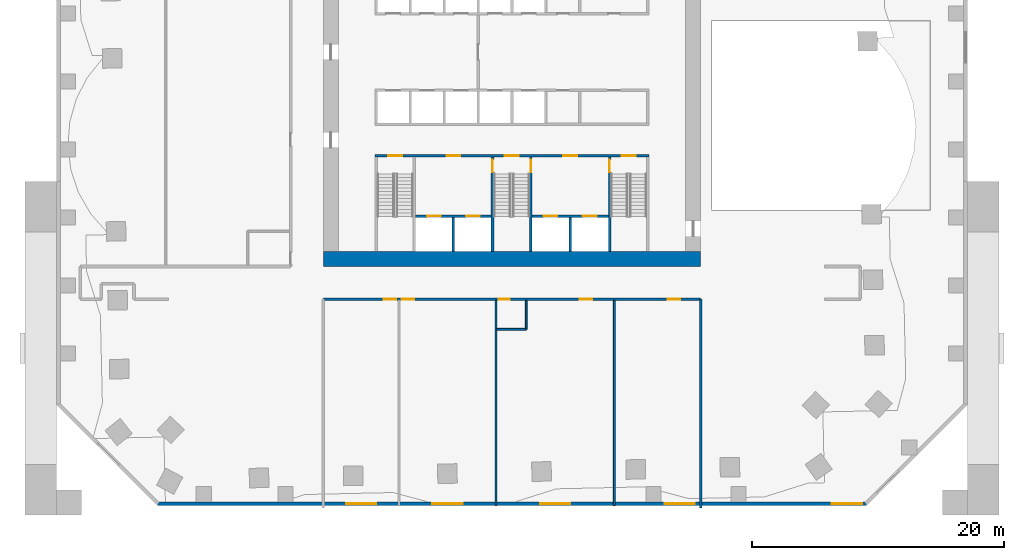
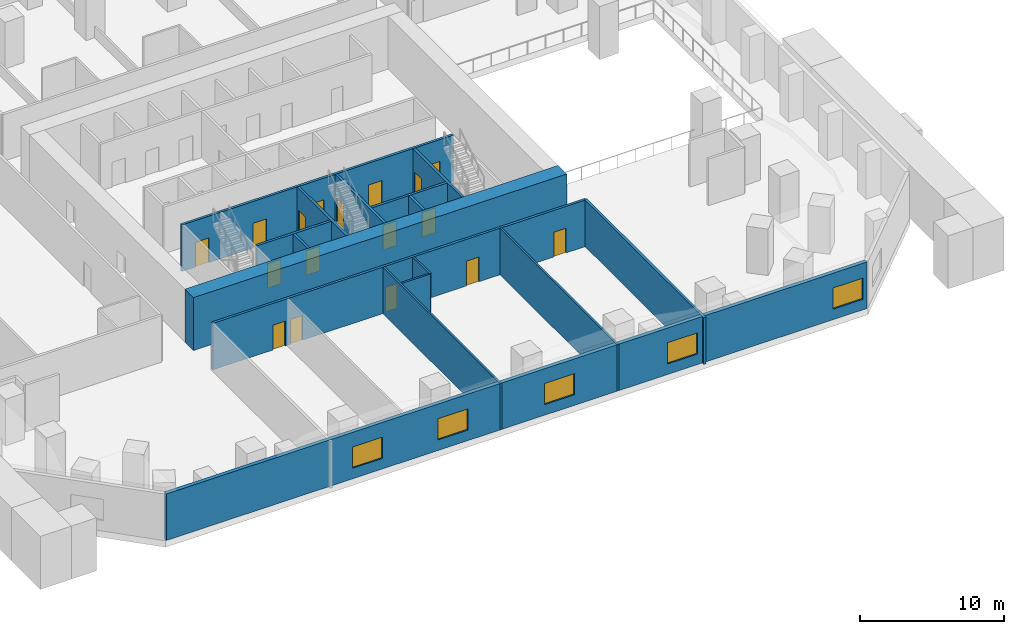
# One storey, part 6 of 12: 17 doors, 16 walls, 5 windows, 22 openings.
"""IFC4 building model written with IfcOpenShell, lengths in metres."""

from ifc_helpers import new_model, si_unit, direction, frame, frame_2d, origin, place, context, subcontext, project, spatial, rectangle, extrude, material, layer, layer_set, type_object, element, fill, save


model = new_model("IFC4")

# Units and contexts
model_context = context("Model", 3, precision=1e-05, world=origin(), true_north=direction((0.0, 1.0)))
body_context = subcontext(model_context, "Body", "Model", "MODEL_VIEW")
ifc_project = project(units=[si_unit("LENGTHUNIT", "METRE"), si_unit("AREAUNIT", "SQUARE_METRE"), si_unit("VOLUMEUNIT", "CUBIC_METRE"), si_unit("PLANEANGLEUNIT", "RADIAN"), si_unit("MASSUNIT", "GRAM", prefix="KILO")], contexts=[model_context])

# Site, building, storey
site_placement = place(None, origin())
site = spatial("IfcSite", under=ifc_project, at=site_placement, CompositionType="ELEMENT")
building_placement = place(site_placement, origin())
building = spatial("IfcBuilding", under=site, at=building_placement, Name="Mangrove Gate Tower", CompositionType="ELEMENT")
storey_placement = place(building_placement, frame((0.0, 0.0, 25.0)))
storey = spatial("IfcBuildingStorey", under=building, at=storey_placement, Name="L05", CompositionType="ELEMENT", Elevation=25.0)

# Wall, openings, doors
ifc_material_1 = material(Name="Concrete C70/85", Category="concrete")
ifc_layer_1 = layer(ifc_material_1, 0.199951171875)
ifc_layer_set_1 = layer_set([ifc_layer_1], Name="Core shaft wall 200 C70/85")
wall_type_1 = type_object("IfcWallType", Name="Core shaft wall 200 C70/85", PredefinedType="SHEAR", material=ifc_layer_set_1)
wall_1_placement = place(storey_placement, frame((-7.64990234375, -8.0, 0.0), z_axis=(0.0, 0.0, 1.0), x_axis=(1.0, 0.0, 0.0)))
wall_1 = element("IfcWall", 1, at=wall_1_placement, inside=storey, type_object=wall_type_1, Name="WALL-L05-CORE-15", PredefinedType="SHEAR", context=body_context, shape_type="SweptSolid", body=[
    extrude(rectangle(XDim=6.0, YDim=0.199951171875, at=frame_2d((3.0, 0.0))), origin(), (0.0, 0.0, 1.0), 3.949951171875),
])
opening_1_placement = place(wall_1_placement, frame((0.89990234375, 0.0, 0.0)))
opening_1 = element("IfcOpeningElement", 2, at=opening_1_placement, cuts=wall_1, Name="Opening LD", PredefinedType="OPENING", context=body_context, shape_type="SweptSolid", body=[
    extrude(rectangle(XDim=1.10009765625, YDim=2.10009765625, at=frame_2d((0.550048828125, 1.050048828125))), frame((0.0, 0.10986328125, 0.0), z_axis=(0.0, -1.0, 0.0), x_axis=(1.0, 0.0, 0.0)), (0.0, 0.0, 1.0), 0.219970703125),
])
opening_2_placement = place(wall_1_placement, frame((4.0, 0.0, 0.0)))
opening_2 = element("IfcOpeningElement", 3, at=opening_2_placement, cuts=wall_1, Name="Opening LD", PredefinedType="OPENING", context=body_context, shape_type="SweptSolid", body=[
    extrude(rectangle(XDim=1.10009765625, YDim=2.10009765625, at=frame_2d((0.550048828125, 1.050048828125))), frame((0.0, 0.10986328125, 0.0), z_axis=(0.0, -1.0, 0.0), x_axis=(1.0, 0.0, 0.0)), (0.0, 0.0, 1.0), 0.219970703125),
])
ifc_material_2 = material(Name="Stainless steel 316", Category="steel")
door_type_1 = type_object("IfcDoorType", Name="Lift landing door 1100x2100", OperationType="SLIDING_TO_LEFT", PredefinedType="DOOR", material=ifc_material_2)
door_1_placement = place(opening_1_placement, origin())
door_1 = element("IfcDoor", 4, at=door_1_placement, inside=storey, type_object=door_type_1, Name="Landing door LD SVL1", OperationType="SLIDING_TO_LEFT", OverallHeight=2.10009765625, OverallWidth=1.10009765625, PredefinedType="DOOR", context=body_context, shape_type="SweptSolid", body=[
    extrude(rectangle(XDim=1.10009765625, YDim=2.10009765625, at=frame_2d((0.550048828125, 1.050048828125))), frame((0.0, 0.02490234375, 0.0), z_axis=(0.0, -1.0, 0.0), x_axis=(1.0, 0.0, 0.0)), (0.0, 0.0, 1.0), 0.050048828125),
])
fill(opening_1, door_1)
door_2_placement = place(opening_2_placement, origin())
door_2 = element("IfcDoor", 5, at=door_2_placement, inside=storey, type_object=door_type_1, Name="Landing door LD SVL2", OperationType="SLIDING_TO_LEFT", OverallHeight=2.10009765625, OverallWidth=1.10009765625, PredefinedType="DOOR", context=body_context, shape_type="SweptSolid", body=[
    extrude(rectangle(XDim=1.10009765625, YDim=2.10009765625, at=frame_2d((0.550048828125, 1.050048828125))), frame((0.0, 0.02490234375, 0.0), z_axis=(0.0, -1.0, 0.0), x_axis=(1.0, 0.0, 0.0)), (0.0, 0.0, 1.0), 0.050048828125),
])
fill(opening_2, door_2)

# Wall
wall_2_placement = place(storey_placement, frame((-4.64990234375, -10.800048828125, 0.0), z_axis=(0.0, 0.0, 1.0), x_axis=(0.0, 1.0, 0.0)))
element("IfcWall", 6, at=wall_2_placement, inside=storey, type_object=wall_type_1, Name="WALL-L05-CORE-16", PredefinedType="SHEAR", context=body_context, shape_type="SweptSolid", body=[
    extrude(rectangle(XDim=2.699951171875, YDim=0.199951171875, at=frame_2d((1.35009765625, 0.0))), origin(), (0.0, 0.0, 1.0), 3.949951171875),
])

# Wall, openings, doors
wall_3_placement = place(storey_placement, frame((1.60009765625, -8.0, 0.0), z_axis=(0.0, 0.0, 1.0), x_axis=(1.0, 0.0, 0.0)))
wall_3 = element("IfcWall", 7, at=wall_3_placement, inside=storey, type_object=wall_type_1, Name="WALL-L05-CORE-17", PredefinedType="SHEAR", context=body_context, shape_type="SweptSolid", body=[
    extrude(rectangle(XDim=6.0498046875, YDim=0.199951171875, at=frame_2d((3.02490234375, 0.0))), origin(), (0.0, 0.0, 1.0), 3.949951171875),
])
opening_3_placement = place(wall_3_placement, frame((0.91259765625, 0.0, 0.0)))
opening_3 = element("IfcOpeningElement", 8, at=opening_3_placement, cuts=wall_3, Name="Opening LD", PredefinedType="OPENING", context=body_context, shape_type="SweptSolid", body=[
    extrude(rectangle(XDim=1.10009765625, YDim=2.10009765625, at=frame_2d((0.550048828125, 1.050048828125))), frame((0.0, 0.10986328125, 0.0), z_axis=(0.0, -1.0, 0.0), x_axis=(1.0, 0.0, 0.0)), (0.0, 0.0, 1.0), 0.219970703125),
])
opening_4_placement = place(wall_3_placement, frame((4.03759765625, 0.0, 0.0)))
opening_4 = element("IfcOpeningElement", 9, at=opening_4_placement, cuts=wall_3, Name="Opening LD", PredefinedType="OPENING", context=body_context, shape_type="SweptSolid", body=[
    extrude(rectangle(XDim=1.10009765625, YDim=2.10009765625, at=frame_2d((0.550048828125, 1.050048828125))), frame((0.0, 0.10986328125, 0.0), z_axis=(0.0, -1.0, 0.0), x_axis=(1.0, 0.0, 0.0)), (0.0, 0.0, 1.0), 0.219970703125),
])
door_3_placement = place(opening_3_placement, origin())
door_3 = element("IfcDoor", 10, at=door_3_placement, inside=storey, type_object=door_type_1, Name="Landing door LD FFL1", OperationType="SLIDING_TO_LEFT", OverallHeight=2.10009765625, OverallWidth=1.10009765625, PredefinedType="DOOR", context=body_context, shape_type="SweptSolid", body=[
    extrude(rectangle(XDim=1.10009765625, YDim=2.10009765625, at=frame_2d((0.550048828125, 1.050048828125))), frame((0.0, 0.02490234375, 0.0), z_axis=(0.0, -1.0, 0.0), x_axis=(1.0, 0.0, 0.0)), (0.0, 0.0, 1.0), 0.050048828125),
])
fill(opening_3, door_3)
door_4_placement = place(opening_4_placement, origin())
door_4 = element("IfcDoor", 11, at=door_4_placement, inside=storey, type_object=door_type_1, Name="Landing door LD FFL2", OperationType="SLIDING_TO_LEFT", OverallHeight=2.10009765625, OverallWidth=1.10009765625, PredefinedType="DOOR", context=body_context, shape_type="SweptSolid", body=[
    extrude(rectangle(XDim=1.10009765625, YDim=2.10009765625, at=frame_2d((0.550048828125, 1.050048828125))), frame((0.0, 0.02490234375, 0.0), z_axis=(0.0, -1.0, 0.0), x_axis=(1.0, 0.0, 0.0)), (0.0, 0.0, 1.0), 0.050048828125),
])
fill(opening_4, door_4)

# Wall
wall_4_placement = place(storey_placement, frame((4.625, -10.800048828125, 0.0), z_axis=(0.0, 0.0, 1.0), x_axis=(0.0, 1.0, 0.0)))
element("IfcWall", 12, at=wall_4_placement, inside=storey, type_object=wall_type_1, Name="WALL-L05-CORE-18", PredefinedType="SHEAR", context=body_context, shape_type="SweptSolid", body=[
    extrude(rectangle(XDim=2.699951171875, YDim=0.199951171875, at=frame_2d((1.35009765625, 0.0))), origin(), (0.0, 0.0, 1.0), 3.949951171875),
])

# Wall, openings, doors
ifc_material_3 = material(Name="Concrete C70/85", Category="concrete")
ifc_layer_2 = layer(ifc_material_3, 0.199951171875)
ifc_layer_set_2 = layer_set([ifc_layer_2], Name="Core stair wall 200 C70/85")
wall_type_2 = type_object("IfcWallType", Name="Core stair wall 200 C70/85", PredefinedType="SHEAR", material=ifc_layer_set_2)
wall_5_placement = place(storey_placement, frame((-10.89990234375, -3.199951171875, 0.0), z_axis=(0.0, 0.0, 1.0), x_axis=(1.0, 0.0, 0.0)))
wall_5 = element("IfcWall", 13, at=wall_5_placement, inside=storey, type_object=wall_type_2, Name="WALL-L05-CORE-5", PredefinedType="SHEAR", context=body_context, shape_type="SweptSolid", body=[
    extrude(rectangle(XDim=21.7998046875, YDim=0.199951171875, at=frame_2d((10.89990234375, 0.0))), origin(), (0.0, 0.0, 1.0), 3.949951171875),
])
opening_5_placement = place(wall_5_placement, frame((1.074951171875, 0.0, 0.0)))
opening_5 = element("IfcOpeningElement", 14, at=opening_5_placement, cuts=wall_5, Name="Opening STD11", PredefinedType="OPENING", context=body_context, shape_type="SweptSolid", body=[
    extrude(rectangle(XDim=1.10009765625, YDim=2.10009765625, at=frame_2d((0.550048828125, 1.050048828125))), frame((0.0, 0.10986328125, 0.0), z_axis=(0.0, -1.0, 0.0), x_axis=(1.0, 0.0, 0.0)), (0.0, 0.0, 1.0), 0.219970703125),
])
opening_6_placement = place(wall_5_placement, frame((10.324951171875, 0.0, 0.0)))
opening_6 = element("IfcOpeningElement", 15, at=opening_6_placement, cuts=wall_5, Name="Opening STD11", PredefinedType="OPENING", context=body_context, shape_type="SweptSolid", body=[
    extrude(rectangle(XDim=1.10009765625, YDim=2.10009765625, at=frame_2d((0.550048828125, 1.050048828125))), frame((0.0, 0.10986328125, 0.0), z_axis=(0.0, -1.0, 0.0), x_axis=(1.0, 0.0, 0.0)), (0.0, 0.0, 1.0), 0.219970703125),
])
opening_7_placement = place(wall_5_placement, frame((19.625, 0.0, 0.0)))
opening_7 = element("IfcOpeningElement", 16, at=opening_7_placement, cuts=wall_5, Name="Opening STD11", PredefinedType="OPENING", context=body_context, shape_type="SweptSolid", body=[
    extrude(rectangle(XDim=1.10009765625, YDim=2.10009765625, at=frame_2d((0.550048828125, 1.050048828125))), frame((0.0, 0.10986328125, 0.0), z_axis=(0.0, -1.0, 0.0), x_axis=(1.0, 0.0, 0.0)), (0.0, 0.0, 1.0), 0.219970703125),
])
opening_8_placement = place(wall_5_placement, frame((5.699951171875, 0.0, 0.0)))
opening_8 = element("IfcOpeningElement", 17, at=opening_8_placement, cuts=wall_5, Name="Opening FL", PredefinedType="OPENING", context=body_context, shape_type="SweptSolid", body=[
    extrude(rectangle(XDim=1.10009765625, YDim=2.10009765625, at=frame_2d((0.550048828125, 1.050048828125))), frame((0.0, 0.10986328125, 0.0), z_axis=(0.0, -1.0, 0.0), x_axis=(1.0, 0.0, 0.0)), (0.0, 0.0, 1.0), 0.219970703125),
])
opening_9_placement = place(wall_5_placement, frame((14.97509765625, 0.0, 0.0)))
opening_9 = element("IfcOpeningElement", 18, at=opening_9_placement, cuts=wall_5, Name="Opening FL", PredefinedType="OPENING", context=body_context, shape_type="SweptSolid", body=[
    extrude(rectangle(XDim=1.10009765625, YDim=2.10009765625, at=frame_2d((0.550048828125, 1.050048828125))), frame((0.0, 0.10986328125, 0.0), z_axis=(0.0, -1.0, 0.0), x_axis=(1.0, 0.0, 0.0)), (0.0, 0.0, 1.0), 0.219970703125),
])
ifc_material_4 = material(Name="Fire-rated steel door set", Category="steel")
door_type_2 = type_object("IfcDoorType", Name="Lobby door FD60 1100x2100", OperationType="SINGLE_SWING_LEFT", PredefinedType="DOOR", material=ifc_material_4)
door_5_placement = place(opening_8_placement, origin())
door_5 = element("IfcDoor", 19, at=door_5_placement, inside=storey, type_object=door_type_2, Name="Lobby door service lobby", OperationType="SINGLE_SWING_LEFT", OverallHeight=2.10009765625, OverallWidth=1.10009765625, PredefinedType="DOOR", context=body_context, shape_type="SweptSolid", body=[
    extrude(rectangle(XDim=1.10009765625, YDim=2.10009765625, at=frame_2d((0.550048828125, 1.050048828125))), frame((0.0, 0.02490234375, 0.0), z_axis=(0.0, -1.0, 0.0), x_axis=(1.0, 0.0, 0.0)), (0.0, 0.0, 1.0), 0.050048828125),
])
fill(opening_8, door_5)
door_6_placement = place(opening_9_placement, origin())
door_6 = element("IfcDoor", 20, at=door_6_placement, inside=storey, type_object=door_type_2, Name="Lobby door fire-fighting lobby", OperationType="SINGLE_SWING_LEFT", OverallHeight=2.10009765625, OverallWidth=1.10009765625, PredefinedType="DOOR", context=body_context, shape_type="SweptSolid", body=[
    extrude(rectangle(XDim=1.10009765625, YDim=2.10009765625, at=frame_2d((0.550048828125, 1.050048828125))), frame((0.0, 0.02490234375, 0.0), z_axis=(0.0, -1.0, 0.0), x_axis=(1.0, 0.0, 0.0)), (0.0, 0.0, 1.0), 0.050048828125),
])
fill(opening_9, door_6)
ifc_material_5 = material(Name="Fire-rated steel door set", Category="steel")
door_type_3 = type_object("IfcDoorType", Name="Stair door FD60 1100x2100", OperationType="SINGLE_SWING_RIGHT", PredefinedType="DOOR", material=ifc_material_5)
door_7_placement = place(opening_5_placement, origin())
door_7 = element("IfcDoor", 21, at=door_7_placement, inside=storey, type_object=door_type_3, Name="Stair door Stair 1", OperationType="SINGLE_SWING_RIGHT", OverallHeight=2.10009765625, OverallWidth=1.10009765625, PredefinedType="DOOR", context=body_context, shape_type="SweptSolid", body=[
    extrude(rectangle(XDim=1.10009765625, YDim=2.10009765625, at=frame_2d((0.550048828125, 1.050048828125))), frame((0.0, 0.02490234375, 0.0), z_axis=(0.0, -1.0, 0.0), x_axis=(1.0, 0.0, 0.0)), (0.0, 0.0, 1.0), 0.050048828125),
])
fill(opening_5, door_7)
door_8_placement = place(opening_6_placement, origin())
door_8 = element("IfcDoor", 22, at=door_8_placement, inside=storey, type_object=door_type_3, Name="Stair door Stair 2", OperationType="SINGLE_SWING_RIGHT", OverallHeight=2.10009765625, OverallWidth=1.10009765625, PredefinedType="DOOR", context=body_context, shape_type="SweptSolid", body=[
    extrude(rectangle(XDim=1.10009765625, YDim=2.10009765625, at=frame_2d((0.550048828125, 1.050048828125))), frame((0.0, 0.02490234375, 0.0), z_axis=(0.0, -1.0, 0.0), x_axis=(1.0, 0.0, 0.0)), (0.0, 0.0, 1.0), 0.050048828125),
])
fill(opening_6, door_8)
door_9_placement = place(opening_7_placement, origin())
door_9 = element("IfcDoor", 23, at=door_9_placement, inside=storey, type_object=door_type_3, Name="Stair door Stair 3", OperationType="SINGLE_SWING_RIGHT", OverallHeight=2.10009765625, OverallWidth=1.10009765625, PredefinedType="DOOR", context=body_context, shape_type="SweptSolid", body=[
    extrude(rectangle(XDim=1.10009765625, YDim=2.10009765625, at=frame_2d((0.550048828125, 1.050048828125))), frame((0.0, 0.02490234375, 0.0), z_axis=(0.0, -1.0, 0.0), x_axis=(1.0, 0.0, 0.0)), (0.0, 0.0, 1.0), 0.050048828125),
])
fill(opening_7, door_9)

# Wall, opening, door
wall_6_placement = place(storey_placement, frame((-1.550048828125, -10.800048828125, 0.0), z_axis=(0.0, 0.0, 1.0), x_axis=(0.0, 1.0, 0.0)))
wall_6 = element("IfcWall", 24, at=wall_6_placement, inside=storey, type_object=wall_type_2, Name="WALL-L05-CORE-11", PredefinedType="SHEAR", context=body_context, shape_type="SweptSolid", body=[
    extrude(rectangle(XDim=7.5, YDim=0.199951171875, at=frame_2d((3.75, 0.0))), origin(), (0.0, 0.0, 1.0), 3.949951171875),
])
opening_10_placement = place(wall_6_placement, frame((6.300048828125, 0.0, 0.0)))
opening_10 = element("IfcOpeningElement", 25, at=opening_10_placement, cuts=wall_6, Name="Opening STD10", PredefinedType="OPENING", context=body_context, shape_type="SweptSolid", body=[
    extrude(rectangle(XDim=1.0, YDim=2.10009765625, at=frame_2d((0.5, 1.050048828125))), frame((0.0, 0.10986328125, 0.0), z_axis=(0.0, -1.0, 0.0), x_axis=(1.0, 0.0, 0.0)), (0.0, 0.0, 1.0), 0.219970703125),
])
ifc_material_6 = material(Name="Fire-rated steel door set", Category="steel")
door_type_4 = type_object("IfcDoorType", Name="Stair door FD60 1000x2100", OperationType="SINGLE_SWING_RIGHT", PredefinedType="DOOR", material=ifc_material_6)
door_10_placement = place(opening_10_placement, origin())
door_10 = element("IfcDoor", 26, at=door_10_placement, inside=storey, type_object=door_type_4, Name="Stair door Stair 2 from service lobby", OperationType="SINGLE_SWING_RIGHT", OverallHeight=2.10009765625, OverallWidth=1.0, PredefinedType="DOOR", context=body_context, shape_type="SweptSolid", body=[
    extrude(rectangle(XDim=1.0, YDim=2.10009765625, at=frame_2d((0.5, 1.050048828125))), frame((0.0, 0.02490234375, 0.0), z_axis=(0.0, -1.0, 0.0), x_axis=(1.0, 0.0, 0.0)), (0.0, 0.0, 1.0), 0.050048828125),
])
fill(opening_10, door_10)

wall_7_placement = place(storey_placement, frame((1.5, -10.800048828125, 0.0), z_axis=(0.0, 0.0, 1.0), x_axis=(0.0, 1.0, 0.0)))
wall_7 = element("IfcWall", 27, at=wall_7_placement, inside=storey, type_object=wall_type_2, Name="WALL-L05-CORE-12", PredefinedType="SHEAR", context=body_context, shape_type="SweptSolid", body=[
    extrude(rectangle(XDim=7.5, YDim=0.199951171875, at=frame_2d((3.75, 0.0))), origin(), (0.0, 0.0, 1.0), 3.949951171875),
])
opening_11_placement = place(wall_7_placement, frame((6.300048828125, 0.0, 0.0)))
opening_11 = element("IfcOpeningElement", 28, at=opening_11_placement, cuts=wall_7, Name="Opening STD10", PredefinedType="OPENING", context=body_context, shape_type="SweptSolid", body=[
    extrude(rectangle(XDim=1.0, YDim=2.10009765625, at=frame_2d((0.5, 1.050048828125))), frame((0.0, 0.10986328125, 0.0), z_axis=(0.0, -1.0, 0.0), x_axis=(1.0, 0.0, 0.0)), (0.0, 0.0, 1.0), 0.219970703125),
])
door_11_placement = place(opening_11_placement, origin())
door_11 = element("IfcDoor", 29, at=door_11_placement, inside=storey, type_object=door_type_4, Name="Stair door Stair 2 from fire-fighting lobby", OperationType="SINGLE_SWING_RIGHT", OverallHeight=2.10009765625, OverallWidth=1.0, PredefinedType="DOOR", context=body_context, shape_type="SweptSolid", body=[
    extrude(rectangle(XDim=1.0, YDim=2.10009765625, at=frame_2d((0.5, 1.050048828125))), frame((0.0, 0.02490234375, 0.0), z_axis=(0.0, -1.0, 0.0), x_axis=(1.0, 0.0, 0.0)), (0.0, 0.0, 1.0), 0.050048828125),
])
fill(opening_11, door_11)

wall_8_placement = place(storey_placement, frame((7.75, -10.800048828125, 0.0), z_axis=(0.0, 0.0, 1.0), x_axis=(0.0, 1.0, 0.0)))
wall_8 = element("IfcWall", 30, at=wall_8_placement, inside=storey, type_object=wall_type_2, Name="WALL-L05-CORE-13", PredefinedType="SHEAR", context=body_context, shape_type="SweptSolid", body=[
    extrude(rectangle(XDim=7.5, YDim=0.199951171875, at=frame_2d((3.75, 0.0))), origin(), (0.0, 0.0, 1.0), 3.949951171875),
])
opening_12_placement = place(wall_8_placement, frame((6.300048828125, 0.0, 0.0)))
opening_12 = element("IfcOpeningElement", 31, at=opening_12_placement, cuts=wall_8, Name="Opening STD10", PredefinedType="OPENING", context=body_context, shape_type="SweptSolid", body=[
    extrude(rectangle(XDim=1.0, YDim=2.10009765625, at=frame_2d((0.5, 1.050048828125))), frame((0.0, 0.10986328125, 0.0), z_axis=(0.0, -1.0, 0.0), x_axis=(1.0, 0.0, 0.0)), (0.0, 0.0, 1.0), 0.219970703125),
])
door_12_placement = place(opening_12_placement, origin())
door_12 = element("IfcDoor", 32, at=door_12_placement, inside=storey, type_object=door_type_4, Name="Stair door Stair 3 from fire-fighting lobby", OperationType="SINGLE_SWING_RIGHT", OverallHeight=2.10009765625, OverallWidth=1.0, PredefinedType="DOOR", context=body_context, shape_type="SweptSolid", body=[
    extrude(rectangle(XDim=1.0, YDim=2.10009765625, at=frame_2d((0.5, 1.050048828125))), frame((0.0, 0.02490234375, 0.0), z_axis=(0.0, -1.0, 0.0), x_axis=(1.0, 0.0, 0.0)), (0.0, 0.0, 1.0), 0.050048828125),
])
fill(opening_12, door_12)

# Walls
ifc_material_7 = material(Name="Concrete C70/85", Category="concrete")
ifc_layer_3 = layer(ifc_material_7, 1.199951171875)
ifc_layer_set_3 = layer_set([ifc_layer_3], Name="Core wall 1200 C70/85")
wall_type_3 = type_object("IfcWallType", Name="Core wall 1200 C70/85", PredefinedType="SHEAR", material=ifc_layer_set_3)
wall_9_placement = place(storey_placement, frame((-15.0, -11.39990234375, 0.0), z_axis=(0.0, 0.0, 1.0), x_axis=(1.0, 0.0, 0.0)))
element("IfcWall", 33, at=wall_9_placement, inside=storey, type_object=wall_type_3, Name="WALL-L05-CORE-1", PredefinedType="SHEAR", context=body_context, shape_type="SweptSolid", body=[
    extrude(rectangle(XDim=30.0, YDim=1.199951171875, at=frame_2d((15.0, 0.0))), origin(), (0.0, 0.0, 1.0), 4.5),
])
ifc_material_8 = material(Name="Gypsum board on steel stud, EI 60", Category="steel")
ifc_layer_4 = layer(ifc_material_8, 0.199951171875)
ifc_layer_set_4 = layer_set([ifc_layer_4], Name="Corridor wall EI 60")
wall_type_4 = type_object("IfcWallType", Name="Corridor wall EI 60", PredefinedType="PARTITIONING", material=ifc_layer_set_4)
wall_10_placement = place(storey_placement, frame((15.0, -31.199951171875, 0.0), z_axis=(0.0, 0.0, 1.0), x_axis=(0.0, 1.0, 0.0)))
element("IfcWall", 34, at=wall_10_placement, inside=storey, type_object=wall_type_4, Name="WALL-L05-005", PredefinedType="PARTITIONING", context=body_context, shape_type="SweptSolid", body=[
    extrude(rectangle(XDim=16.599853515625, YDim=0.199951171875, at=frame_2d((8.2998046875, 0.0))), origin(), (0.0, 0.0, 1.0), 3.949951171875),
])

# Wall, openings, doors
wall_11_placement = place(storey_placement, frame((-15.0, -14.60009765625, 0.0), z_axis=(0.0, 0.0, 1.0), x_axis=(1.0, 0.0, 0.0)))
wall_11 = element("IfcWall", 35, at=wall_11_placement, inside=storey, type_object=wall_type_4, Name="WALL-L05-013", PredefinedType="PARTITIONING", context=body_context, shape_type="SweptSolid", body=[
    extrude(rectangle(XDim=30.0, YDim=0.199951171875, at=frame_2d((15.0, 0.0))), origin(), (0.0, 0.0, 1.0), 3.949951171875),
])
opening_13_placement = place(wall_11_placement, frame((4.820068359375, 0.0, 0.0)))
opening_13 = element("IfcOpeningElement", 36, at=opening_13_placement, cuts=wall_11, Name="Opening AD", PredefinedType="OPENING", context=body_context, shape_type="SweptSolid", body=[
    extrude(rectangle(XDim=1.0, YDim=2.10009765625, at=frame_2d((0.5, 1.050048828125))), frame((0.0, 0.10986328125, 0.0), z_axis=(0.0, -1.0, 0.0), x_axis=(1.0, 0.0, 0.0)), (0.0, 0.0, 1.0), 0.219970703125),
])
opening_14_placement = place(wall_11_placement, frame((6.219970703125, 0.0, 0.0)))
opening_14 = element("IfcOpeningElement", 37, at=opening_14_placement, cuts=wall_11, Name="Opening AD", PredefinedType="OPENING", context=body_context, shape_type="SweptSolid", body=[
    extrude(rectangle(XDim=1.0, YDim=2.10009765625, at=frame_2d((0.5, 1.050048828125))), frame((0.0, 0.10986328125, 0.0), z_axis=(0.0, -1.0, 0.0), x_axis=(1.0, 0.0, 0.0)), (0.0, 0.0, 1.0), 0.219970703125),
])
opening_15_placement = place(wall_11_placement, frame((20.389892578125, 0.0, 0.0)))
opening_15 = element("IfcOpeningElement", 38, at=opening_15_placement, cuts=wall_11, Name="Opening AD", PredefinedType="OPENING", context=body_context, shape_type="SweptSolid", body=[
    extrude(rectangle(XDim=1.0, YDim=2.10009765625, at=frame_2d((0.5, 1.050048828125))), frame((0.0, 0.10986328125, 0.0), z_axis=(0.0, -1.0, 0.0), x_axis=(1.0, 0.0, 0.0)), (0.0, 0.0, 1.0), 0.219970703125),
])
opening_16_placement = place(wall_11_placement, frame((13.929931640625, 0.0, 0.0)))
opening_16 = element("IfcOpeningElement", 39, at=opening_16_placement, cuts=wall_11, Name="Opening SD", PredefinedType="OPENING", context=body_context, shape_type="SweptSolid", body=[
    extrude(rectangle(XDim=0.89990234375, YDim=2.10009765625, at=frame_2d((0.449951171875, 1.050048828125))), frame((0.0, 0.10986328125, 0.0), z_axis=(0.0, -1.0, 0.0), x_axis=(1.0, 0.0, 0.0)), (0.0, 0.0, 1.0), 0.219970703125),
])
opening_17_placement = place(wall_11_placement, frame((27.385986328125, 0.0, 0.0)))
opening_17 = element("IfcOpeningElement", 40, at=opening_17_placement, cuts=wall_11, Name="Opening AD", PredefinedType="OPENING", context=body_context, shape_type="SweptSolid", body=[
    extrude(rectangle(XDim=1.0, YDim=2.10009765625, at=frame_2d((0.5, 1.050048828125))), frame((0.0, 0.10986328125, 0.0), z_axis=(0.0, -1.0, 0.0), x_axis=(1.0, 0.0, 0.0)), (0.0, 0.0, 1.0), 0.219970703125),
])
ifc_material_9 = material(Name="Timber door leaf", Category="wood")
door_type_5 = type_object("IfcDoorType", Name="Amenity door 1000", OperationType="SINGLE_SWING_LEFT", PredefinedType="DOOR", material=ifc_material_9)
door_13_placement = place(opening_13_placement, origin())
door_13 = element("IfcDoor", 41, at=door_13_placement, inside=storey, type_object=door_type_5, Name="DOOR-L05-POD-01", OperationType="SINGLE_SWING_LEFT", OverallHeight=2.10009765625, OverallWidth=1.0, PredefinedType="DOOR", context=body_context, shape_type="SweptSolid", body=[
    extrude(rectangle(XDim=1.0, YDim=2.10009765625, at=frame_2d((0.5, 1.050048828125))), frame((0.0, 0.02490234375, 0.0), z_axis=(0.0, -1.0, 0.0), x_axis=(1.0, 0.0, 0.0)), (0.0, 0.0, 1.0), 0.050048828125),
])
fill(opening_13, door_13)
door_14_placement = place(opening_14_placement, origin())
door_14 = element("IfcDoor", 42, at=door_14_placement, inside=storey, type_object=door_type_5, Name="DOOR-L05-POD-02", OperationType="SINGLE_SWING_RIGHT", OverallHeight=2.10009765625, OverallWidth=1.0, PredefinedType="DOOR", context=body_context, shape_type="SweptSolid", body=[
    extrude(rectangle(XDim=1.0, YDim=2.10009765625, at=frame_2d((0.5, 1.050048828125))), frame((0.0, 0.02490234375, 0.0), z_axis=(0.0, -1.0, 0.0), x_axis=(1.0, 0.0, 0.0)), (0.0, 0.0, 1.0), 0.050048828125),
])
fill(opening_14, door_14)
door_15_placement = place(opening_15_placement, origin())
door_15 = element("IfcDoor", 43, at=door_15_placement, inside=storey, type_object=door_type_5, Name="DOOR-L05-POD-03", OperationType="SINGLE_SWING_LEFT", OverallHeight=2.10009765625, OverallWidth=1.0, PredefinedType="DOOR", context=body_context, shape_type="SweptSolid", body=[
    extrude(rectangle(XDim=1.0, YDim=2.10009765625, at=frame_2d((0.5, 1.050048828125))), frame((0.0, 0.02490234375, 0.0), z_axis=(0.0, -1.0, 0.0), x_axis=(1.0, 0.0, 0.0)), (0.0, 0.0, 1.0), 0.050048828125),
])
fill(opening_15, door_15)
door_16_placement = place(opening_17_placement, origin())
door_16 = element("IfcDoor", 44, at=door_16_placement, inside=storey, type_object=door_type_5, Name="DOOR-L05-POD-04", OperationType="SINGLE_SWING_RIGHT", OverallHeight=2.10009765625, OverallWidth=1.0, PredefinedType="DOOR", context=body_context, shape_type="SweptSolid", body=[
    extrude(rectangle(XDim=1.0, YDim=2.10009765625, at=frame_2d((0.5, 1.050048828125))), frame((0.0, 0.02490234375, 0.0), z_axis=(0.0, -1.0, 0.0), x_axis=(1.0, 0.0, 0.0)), (0.0, 0.0, 1.0), 0.050048828125),
])
fill(opening_17, door_16)
ifc_material_10 = material(Name="Timber door leaf", Category="wood")
door_type_6 = type_object("IfcDoorType", Name="Service room door 900", OperationType="SINGLE_SWING_LEFT", PredefinedType="DOOR", material=ifc_material_10)
door_17_placement = place(opening_16_placement, origin())
door_17 = element("IfcDoor", 45, at=door_17_placement, inside=storey, type_object=door_type_6, Name="DOOR-L05-PSV-03", OperationType="SINGLE_SWING_LEFT", OverallHeight=2.10009765625, OverallWidth=0.89990234375, PredefinedType="DOOR", context=body_context, shape_type="SweptSolid", body=[
    extrude(rectangle(XDim=0.89990234375, YDim=2.10009765625, at=frame_2d((0.449951171875, 1.050048828125))), frame((0.0, 0.02490234375, 0.0), z_axis=(0.0, -1.0, 0.0), x_axis=(1.0, 0.0, 0.0)), (0.0, 0.0, 1.0), 0.050048828125),
])
fill(opening_16, door_17)

# Wall, openings, windows
ifc_material_11 = material(Name="Limestone", Category="masonry")
ifc_layer_5 = layer(ifc_material_11, 0.0400390625, Name="Limestone cladding")
ifc_material_12 = material(Name="Ventilated air gap")
ifc_layer_6 = layer(ifc_material_12, 0.0400390625, Name="Ventilated cavity")
ifc_material_13 = material(Name="Mineral wool insulation")
ifc_layer_7 = layer(ifc_material_13, 0.06005859375, Name="Insulation")
ifc_material_14 = material(Name="Breather membrane")
ifc_layer_8 = layer(ifc_material_14, 0.001953125, Name="Breather membrane")
ifc_material_15 = material(Name="Concrete C20/25 blockwork", Category="masonry")
ifc_layer_9 = layer(ifc_material_15, 0.14990234375, Name="Blockwork backing wall")
ifc_material_16 = material(Name="Gypsum plaster")
ifc_layer_10 = layer(ifc_material_16, 0.008056640625, Name="Internal plaster")
ifc_layer_set_5 = layer_set([ifc_layer_5, ifc_layer_6, ifc_layer_7, ifc_layer_8, ifc_layer_9, ifc_layer_10], Name="External wall 300 limestone cladding")
wall_type_5 = type_object("IfcWallType", Name="External wall 300 limestone cladding", PredefinedType="SOLIDWALL", material=ifc_layer_set_5)
wall_12_placement = place(storey_placement, frame((-28.137939453125, -30.85009765625, 0.0), z_axis=(0.0, 0.0, 1.0), x_axis=(1.0, 0.0, 0.0)))
wall_12 = element("IfcWall", 46, at=wall_12_placement, inside=storey, type_object=wall_type_5, Name="WALL-L05-S7", PredefinedType="SOLIDWALL", context=body_context, shape_type="SweptSolid", body=[
    extrude(rectangle(XDim=56.27587890625, YDim=0.300048828125, at=frame_2d((28.137939453125, 0.0))), origin(), (0.0, 0.0, 1.0), 3.949951171875),
])
opening_18_placement = place(wall_12_placement, frame((14.947998046875, 0.0, 0.89990234375)))
opening_18 = element("IfcOpeningElement", 47, at=opening_18_placement, cuts=wall_12, Name="Opening W3", PredefinedType="OPENING", context=body_context, shape_type="SweptSolid", body=[
    extrude(rectangle(XDim=2.39990234375, YDim=1.800048828125, at=frame_2d((1.199951171875, 0.89990234375))), frame((0.0, 0.159912109375, 0.0), z_axis=(0.0, -1.0, 0.0), x_axis=(1.0, 0.0, 0.0)), (0.0, 0.0, 1.0), 0.320068359375),
])
opening_19_placement = place(wall_12_placement, frame((21.81298828125, 0.0, 0.89990234375)))
opening_19 = element("IfcOpeningElement", 48, at=opening_19_placement, cuts=wall_12, Name="Opening W3", PredefinedType="OPENING", context=body_context, shape_type="SweptSolid", body=[
    extrude(rectangle(XDim=2.39990234375, YDim=1.800048828125, at=frame_2d((1.199951171875, 0.89990234375))), frame((0.0, 0.159912109375, 0.0), z_axis=(0.0, -1.0, 0.0), x_axis=(1.0, 0.0, 0.0)), (0.0, 0.0, 1.0), 0.320068359375),
])
opening_20_placement = place(wall_12_placement, frame((30.373046875, 0.0, 0.89990234375)))
opening_20 = element("IfcOpeningElement", 49, at=opening_20_placement, cuts=wall_12, Name="Opening W3", PredefinedType="OPENING", context=body_context, shape_type="SweptSolid", body=[
    extrude(rectangle(XDim=2.39990234375, YDim=1.800048828125, at=frame_2d((1.199951171875, 0.89990234375))), frame((0.0, 0.159912109375, 0.0), z_axis=(0.0, -1.0, 0.0), x_axis=(1.0, 0.0, 0.0)), (0.0, 0.0, 1.0), 0.320068359375),
])
opening_21_placement = place(wall_12_placement, frame((40.262939453125, 0.0, 0.89990234375)))
opening_21 = element("IfcOpeningElement", 50, at=opening_21_placement, cuts=wall_12, Name="Opening W3", PredefinedType="OPENING", context=body_context, shape_type="SweptSolid", body=[
    extrude(rectangle(XDim=2.39990234375, YDim=1.800048828125, at=frame_2d((1.199951171875, 0.89990234375))), frame((0.0, 0.159912109375, 0.0), z_axis=(0.0, -1.0, 0.0), x_axis=(1.0, 0.0, 0.0)), (0.0, 0.0, 1.0), 0.320068359375),
])
opening_22_placement = place(wall_12_placement, frame((53.552978515625, 0.0, 0.89990234375)))
opening_22 = element("IfcOpeningElement", 51, at=opening_22_placement, cuts=wall_12, Name="Opening W3", PredefinedType="OPENING", context=body_context, shape_type="SweptSolid", body=[
    extrude(rectangle(XDim=2.39990234375, YDim=1.800048828125, at=frame_2d((1.199951171875, 0.89990234375))), frame((0.0, 0.159912109375, 0.0), z_axis=(0.0, -1.0, 0.0), x_axis=(1.0, 0.0, 0.0)), (0.0, 0.0, 1.0), 0.320068359375),
])
ifc_material_17 = material(Name="Aluminium frame with double-glazed low-e glass", Category="aluminium")
window_type = type_object("IfcWindowType", Name="Podium window 2400x1800", PartitioningType="DOUBLE_PANEL_VERTICAL", PredefinedType="WINDOW", material=ifc_material_17)
window_1_placement = place(opening_18_placement, origin())
window_1 = element("IfcWindow", 52, at=window_1_placement, inside=storey, type_object=window_type, Name="WIN-L05-S7-1", OverallHeight=1.800048828125, OverallWidth=2.39990234375, PartitioningType="DOUBLE_PANEL_VERTICAL", PredefinedType="WINDOW", context=body_context, shape_type="SweptSolid", body=[
    extrude(rectangle(XDim=2.39990234375, YDim=1.800048828125, at=frame_2d((1.199951171875, 0.89990234375))), frame((0.0, 0.030029296875, 0.0), z_axis=(0.0, -1.0, 0.0), x_axis=(1.0, 0.0, 0.0)), (0.0, 0.0, 1.0), 0.06005859375),
])
fill(opening_18, window_1)
window_2_placement = place(opening_19_placement, origin())
window_2 = element("IfcWindow", 53, at=window_2_placement, inside=storey, type_object=window_type, Name="WIN-L05-S7-2", OverallHeight=1.800048828125, OverallWidth=2.39990234375, PartitioningType="DOUBLE_PANEL_VERTICAL", PredefinedType="WINDOW", context=body_context, shape_type="SweptSolid", body=[
    extrude(rectangle(XDim=2.39990234375, YDim=1.800048828125, at=frame_2d((1.199951171875, 0.89990234375))), frame((0.0, 0.030029296875, 0.0), z_axis=(0.0, -1.0, 0.0), x_axis=(1.0, 0.0, 0.0)), (0.0, 0.0, 1.0), 0.06005859375),
])
fill(opening_19, window_2)
window_3_placement = place(opening_20_placement, origin())
window_3 = element("IfcWindow", 54, at=window_3_placement, inside=storey, type_object=window_type, Name="WIN-L05-S7-3", OverallHeight=1.800048828125, OverallWidth=2.39990234375, PartitioningType="DOUBLE_PANEL_VERTICAL", PredefinedType="WINDOW", context=body_context, shape_type="SweptSolid", body=[
    extrude(rectangle(XDim=2.39990234375, YDim=1.800048828125, at=frame_2d((1.199951171875, 0.89990234375))), frame((0.0, 0.030029296875, 0.0), z_axis=(0.0, -1.0, 0.0), x_axis=(1.0, 0.0, 0.0)), (0.0, 0.0, 1.0), 0.06005859375),
])
fill(opening_20, window_3)
window_4_placement = place(opening_21_placement, origin())
window_4 = element("IfcWindow", 55, at=window_4_placement, inside=storey, type_object=window_type, Name="WIN-L05-S7-4", OverallHeight=1.800048828125, OverallWidth=2.39990234375, PartitioningType="DOUBLE_PANEL_VERTICAL", PredefinedType="WINDOW", context=body_context, shape_type="SweptSolid", body=[
    extrude(rectangle(XDim=2.39990234375, YDim=1.800048828125, at=frame_2d((1.199951171875, 0.89990234375))), frame((0.0, 0.030029296875, 0.0), z_axis=(0.0, -1.0, 0.0), x_axis=(1.0, 0.0, 0.0)), (0.0, 0.0, 1.0), 0.06005859375),
])
fill(opening_21, window_4)
window_5_placement = place(opening_22_placement, origin())
window_5 = element("IfcWindow", 56, at=window_5_placement, inside=storey, type_object=window_type, Name="WIN-L05-S7-5", OverallHeight=1.800048828125, OverallWidth=2.39990234375, PartitioningType="DOUBLE_PANEL_VERTICAL", PredefinedType="WINDOW", context=body_context, shape_type="SweptSolid", body=[
    extrude(rectangle(XDim=2.39990234375, YDim=1.800048828125, at=frame_2d((1.199951171875, 0.89990234375))), frame((0.0, 0.030029296875, 0.0), z_axis=(0.0, -1.0, 0.0), x_axis=(1.0, 0.0, 0.0)), (0.0, 0.0, 1.0), 0.06005859375),
])
fill(opening_22, window_5)

# Walls
ifc_material_18 = material(Name="Gypsum board on steel stud, EI 60", Category="steel")
ifc_layer_11 = layer(ifc_material_18, 0.14990234375)
ifc_layer_set_6 = layer_set([ifc_layer_11], Name="Party wall 150 EI 60")
wall_type_6 = type_object("IfcWallType", Name="Party wall 150 EI 60", PredefinedType="PARTITIONING", material=ifc_layer_set_6)
for number, where, z_axis, x_axis, name in (
    (57, (-1.27001953125, -31.0, 0.0), (0.0, 0.0, 1.0), (0.0, 1.0, 0.0), "WALL-L05-003"),
    (58, (8.139892578125, -31.0, 0.0), (0.0, 0.0, 1.0), (0.0, 1.0, 0.0), "WALL-L05-004"),
):
    element("IfcWall", number, at=place(storey_placement, frame(where, z_axis=z_axis, x_axis=x_axis)), inside=storey, type_object=wall_type_6, Name=name, PredefinedType="PARTITIONING", context=body_context, shape_type="SweptSolid", body=[
        extrude(rectangle(XDim=16.300048828125, YDim=0.14990234375, at=frame_2d((8.14990234375, 0.0))), origin(), (0.0, 0.0, 1.0), 3.949951171875),
    ])
wall_13_placement = place(storey_placement, frame((-1.195068359375, -17.0, 0.0), z_axis=(0.0, 0.0, 1.0), x_axis=(1.0, 0.0, 0.0)))
element("IfcWall", 59, at=wall_13_placement, inside=storey, type_object=wall_type_6, Name="WALL-L05-006", PredefinedType="PARTITIONING", context=body_context, shape_type="SweptSolid", body=[
    extrude(rectangle(XDim=2.324951171875, YDim=0.14990234375, at=frame_2d((1.16259765625, 0.0))), origin(), (0.0, 0.0, 1.0), 3.949951171875),
])
wall_14_placement = place(storey_placement, frame((1.1298828125, -17.0, 0.0), z_axis=(0.0, 0.0, 1.0), x_axis=(0.0, 1.0, 0.0)))
element("IfcWall", 60, at=wall_14_placement, inside=storey, type_object=wall_type_6, Name="WALL-L05-007", PredefinedType="PARTITIONING", context=body_context, shape_type="SweptSolid", body=[
    extrude(rectangle(XDim=2.300048828125, YDim=0.14990234375, at=frame_2d((1.14990234375, 0.0))), origin(), (0.0, 0.0, 1.0), 3.949951171875),
])

save(model, "model.ifc")
